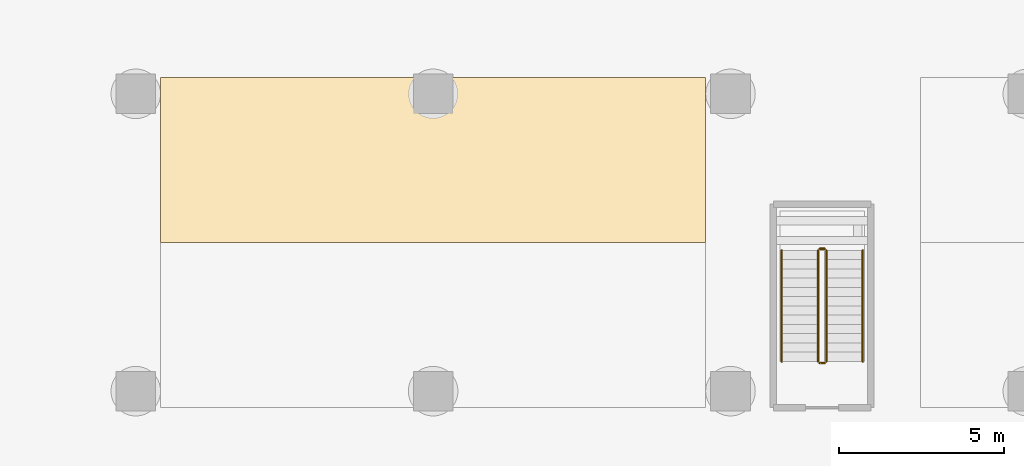
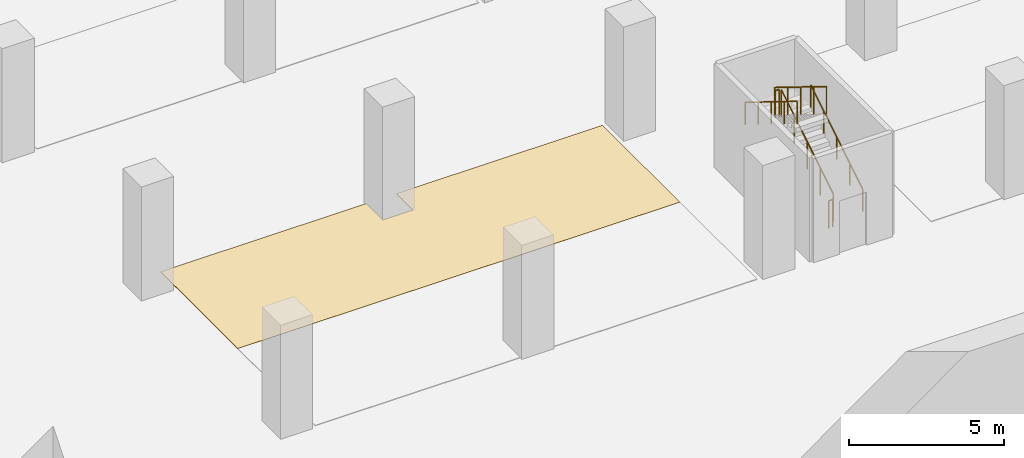
# One storey, part 30 of 39: 6 railings, 1 covering.
"""IFC4 building model written with IfcOpenShell, lengths in metres."""

from ifc_helpers import new_model, si_unit, direction, frame, origin, origin_2d, place, context, subcontext, project, spatial, polyline, circle, outline, extrude, material, layer, layer_set, type_object, element, save


model = new_model("IFC4")

# Units and contexts
model_context = context("Model", 3, precision=1e-05, world=origin(), true_north=direction((0.0, 1.0)))
body_context = subcontext(model_context, "Body", "Model", "MODEL_VIEW")
ifc_project = project(units=[si_unit("LENGTHUNIT", "METRE"), si_unit("AREAUNIT", "SQUARE_METRE"), si_unit("VOLUMEUNIT", "CUBIC_METRE"), si_unit("PLANEANGLEUNIT", "RADIAN"), si_unit("MASSUNIT", "GRAM", prefix="KILO")], contexts=[model_context])

# Site, building, storey
site_placement = place(None, origin())
site = spatial("IfcSite", under=ifc_project, at=site_placement, CompositionType="ELEMENT")
building_placement = place(site_placement, origin())
building = spatial("IfcBuilding", under=site, at=building_placement, Name="Ogive Gate Towers", CompositionType="ELEMENT")
storey_placement = place(building_placement, frame((0.0, 0.0, -9.0)))
storey = spatial("IfcBuildingStorey", under=building, at=storey_placement, Name="B2", CompositionType="ELEMENT", Elevation=-9.0)

# Railings
ifc_material_1 = material(Name="Painted steel", Category="steel")
railing_type_1 = type_object("IfcRailingType", Name="Car park stair guard 1100", PredefinedType="GUARDRAIL", material=ifc_material_1)
railing_1_placement = place(storey_placement, frame((29.89990234375, -62.10009765625, 0.173095703125)))
element("IfcRailing", 1, at=railing_1_placement, inside=storey, type_object=railing_type_1, Name="B2 CS7 stair guard 1", PredefinedType="GUARDRAIL", context=body_context, shape_type="SweptSolid", body=[
    extrude(circle(Radius=0.02392578125, at=origin_2d()), frame((0.0, 0.0, 1.076171875), z_axis=(0.0, 0.850623216509, 0.525775754039), x_axis=(-1.0, 0.0, 0.0)), (0.0, 0.0, 1.0), 3.9501953125),
    extrude(circle(Radius=0.02099609375, at=origin_2d()), origin(), (0.0, 0.0, 1.0), 1.052001953125),
    extrude(circle(Radius=0.02099609375, at=origin_2d()), frame((0.0, 0.840087890625, 0.519287109375)), (0.0, 0.0, 1.0), 1.052001953125),
    extrude(circle(Radius=0.02099609375, at=origin_2d()), frame((0.0, 1.68017578125, 1.03857421875)), (0.0, 0.0, 1.0), 1.052001953125),
    extrude(circle(Radius=0.02099609375, at=origin_2d()), frame((0.0, 2.52001953125, 1.5576171875)), (0.0, 0.0, 1.0), 1.052001953125),
    extrude(circle(Radius=0.02099609375, at=origin_2d()), frame((0.0, 3.360107421875, 2.076904296875)), (0.0, 0.0, 1.0), 1.052001953125),
])
railing_2_placement = place(storey_placement, frame((29.85009765625, -58.68994140625, 2.25)))
element("IfcRailing", 2, at=railing_2_placement, inside=storey, type_object=railing_type_1, Name="B2 CS7 stair guard 2", PredefinedType="GUARDRAIL", context=body_context, shape_type="SweptSolid", body=[
    extrude(circle(Radius=0.02392578125, at=origin_2d()), frame((0.0, 0.0, 1.076171875), z_axis=(-1.0, 0.0, 0.0), x_axis=(0.0, -1.0, 0.0)), (0.0, 0.0, 1.0), 0.150146484375),
    extrude(circle(Radius=0.02099609375, at=origin_2d()), origin(), (0.0, 0.0, 1.0), 1.052001953125),
    extrude(circle(Radius=0.02099609375, at=origin_2d()), frame((-0.150146484375, 0.0, 0.0)), (0.0, 0.0, 1.0), 1.052001953125),
])
railing_3_placement = place(storey_placement, frame((29.64990234375, -58.739990234375, 2.423095703125)))
element("IfcRailing", 3, at=railing_3_placement, inside=storey, type_object=railing_type_1, Name="B2 CS7 stair guard 3", PredefinedType="GUARDRAIL", context=body_context, shape_type="SweptSolid", body=[
    extrude(circle(Radius=0.02392578125, at=origin_2d()), frame((0.0, 0.0, 1.076171875), z_axis=(0.0, -0.850623216509, 0.525775754039), x_axis=(1.0, 0.0, 0.0)), (0.0, 0.0, 1.0), 3.9501953125),
    extrude(circle(Radius=0.02099609375, at=origin_2d()), origin(), (0.0, 0.0, 1.0), 1.052001953125),
    extrude(circle(Radius=0.02099609375, at=origin_2d()), frame((0.0, -0.840087890625, 0.519287109375)), (0.0, 0.0, 1.0), 1.052001953125),
    extrude(circle(Radius=0.02099609375, at=origin_2d()), frame((0.0, -1.68017578125, 1.03857421875)), (0.0, 0.0, 1.0), 1.052001953125),
    extrude(circle(Radius=0.02099609375, at=origin_2d()), frame((0.0, -2.52001953125, 1.5576171875)), (0.0, 0.0, 1.0), 1.052001953125),
    extrude(circle(Radius=0.02099609375, at=origin_2d()), frame((0.0, -3.360107421875, 2.076904296875)), (0.0, 0.0, 1.0), 1.052001953125),
])
railing_4_placement = place(storey_placement, frame((29.85009765625, -62.14990234375, 0.0)))
element("IfcRailing", 4, at=railing_4_placement, inside=storey, type_object=railing_type_1, Name="B2 CS7 stair guard 4", PredefinedType="GUARDRAIL", context=body_context, shape_type="SweptSolid", body=[
    extrude(circle(Radius=0.02392578125, at=origin_2d()), frame((0.0, 0.0, 1.076171875), z_axis=(-1.0, 0.0, 0.0), x_axis=(0.0, -1.0, 0.0)), (0.0, 0.0, 1.0), 0.150146484375),
    extrude(circle(Radius=0.02099609375, at=origin_2d()), origin(), (0.0, 0.0, 1.0), 1.052001953125),
    extrude(circle(Radius=0.02099609375, at=origin_2d()), frame((-0.150146484375, 0.0, 0.0)), (0.0, 0.0, 1.0), 1.052001953125),
])
ifc_material_2 = material(Name="Stainless steel handrail", Category="steel")
railing_type_2 = type_object("IfcRailingType", Name="Car park stair handrail 900", PredefinedType="HANDRAIL", material=ifc_material_2)
railing_5_placement = place(storey_placement, frame((31.0, -62.10009765625, 0.173095703125)))
element("IfcRailing", 5, at=railing_5_placement, inside=storey, type_object=railing_type_2, Name="B2 CS7 stair handrail 1", PredefinedType="HANDRAIL", context=body_context, shape_type="SweptSolid", body=[
    extrude(circle(Radius=0.02392578125, at=origin_2d()), frame((0.0, 0.0, 0.8759765625), z_axis=(0.0, 0.850623216509, 0.525775754039), x_axis=(-1.0, 0.0, 0.0)), (0.0, 0.0, 1.0), 3.9501953125),
    extrude(circle(Radius=0.02099609375, at=origin_2d()), origin(), (0.0, 0.0, 1.0), 0.851806640625),
    extrude(circle(Radius=0.02099609375, at=origin_2d()), frame((0.0, 0.840087890625, 0.519287109375)), (0.0, 0.0, 1.0), 0.851806640625),
    extrude(circle(Radius=0.02099609375, at=origin_2d()), frame((0.0, 1.68017578125, 1.03857421875)), (0.0, 0.0, 1.0), 0.851806640625),
    extrude(circle(Radius=0.02099609375, at=origin_2d()), frame((0.0, 2.52001953125, 1.5576171875)), (0.0, 0.0, 1.0), 0.851806640625),
    extrude(circle(Radius=0.02099609375, at=origin_2d()), frame((0.0, 3.360107421875, 2.076904296875)), (0.0, 0.0, 1.0), 0.851806640625),
])
railing_6_placement = place(storey_placement, frame((28.550048828125, -58.739990234375, 2.423095703125)))
element("IfcRailing", 6, at=railing_6_placement, inside=storey, type_object=railing_type_2, Name="B2 CS7 stair handrail 2", PredefinedType="HANDRAIL", context=body_context, shape_type="SweptSolid", body=[
    extrude(circle(Radius=0.02392578125, at=origin_2d()), frame((0.0, 0.0, 0.8759765625), z_axis=(0.0, -0.850623216509, 0.525775754039), x_axis=(1.0, 0.0, 0.0)), (0.0, 0.0, 1.0), 3.9501953125),
    extrude(circle(Radius=0.02099609375, at=origin_2d()), origin(), (0.0, 0.0, 1.0), 0.851806640625),
    extrude(circle(Radius=0.02099609375, at=origin_2d()), frame((0.0, -0.840087890625, 0.519287109375)), (0.0, 0.0, 1.0), 0.851806640625),
    extrude(circle(Radius=0.02099609375, at=origin_2d()), frame((0.0, -1.68017578125, 1.03857421875)), (0.0, 0.0, 1.0), 0.851806640625),
    extrude(circle(Radius=0.02099609375, at=origin_2d()), frame((0.0, -2.52001953125, 1.5576171875)), (0.0, 0.0, 1.0), 0.851806640625),
    extrude(circle(Radius=0.02099609375, at=origin_2d()), frame((0.0, -3.360107421875, 2.076904296875)), (0.0, 0.0, 1.0), 0.851806640625),
])

# Covering
ifc_material_3 = material(Name="Painted floor marking")
ifc_layer = layer(ifc_material_3, 0.02001953125)
ifc_layer_set = layer_set([ifc_layer], Name="Parking bay marking")
covering_type = type_object("IfcCoveringType", Name="Parking bay marking", PredefinedType="FLOORING", material=ifc_layer_set)
covering_placement = place(storey_placement, origin())
element("IfcCovering", 7, at=covering_placement, inside=storey, type_object=covering_type, Name="Parking bays B2-784 to B2-789", PredefinedType="FLOORING", context=body_context, shape_type="SweptSolid", body=[
    extrude(outline(polyline([(9.75, -53.5), (17.449951171875, -53.5), (17.449951171875, -54.550048828125), (18.550048828125, -54.550048828125), (18.550048828125, -53.5), (26.25, -53.5), (26.25, -58.5), (9.75, -58.5), (9.75, -53.5)])), origin(), (0.0, 0.0, 1.0), 0.02001953125),
])

save(model, "model.ifc")
